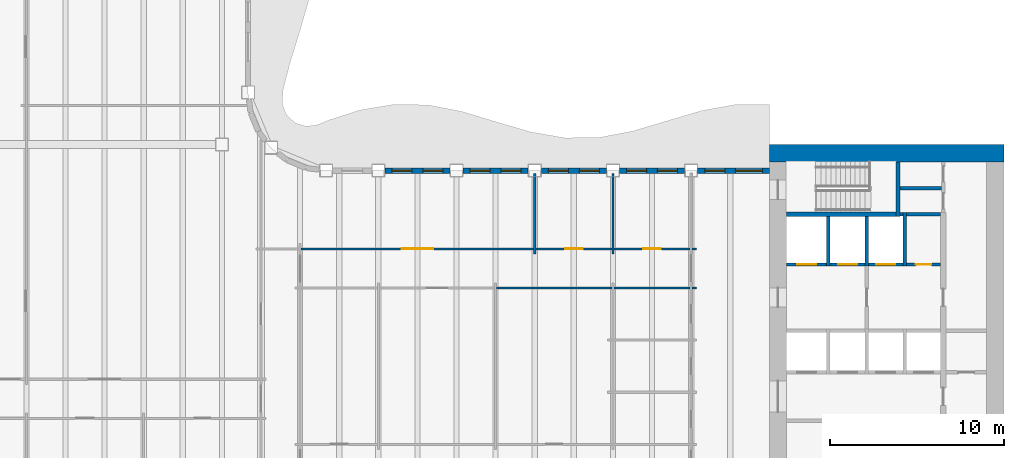
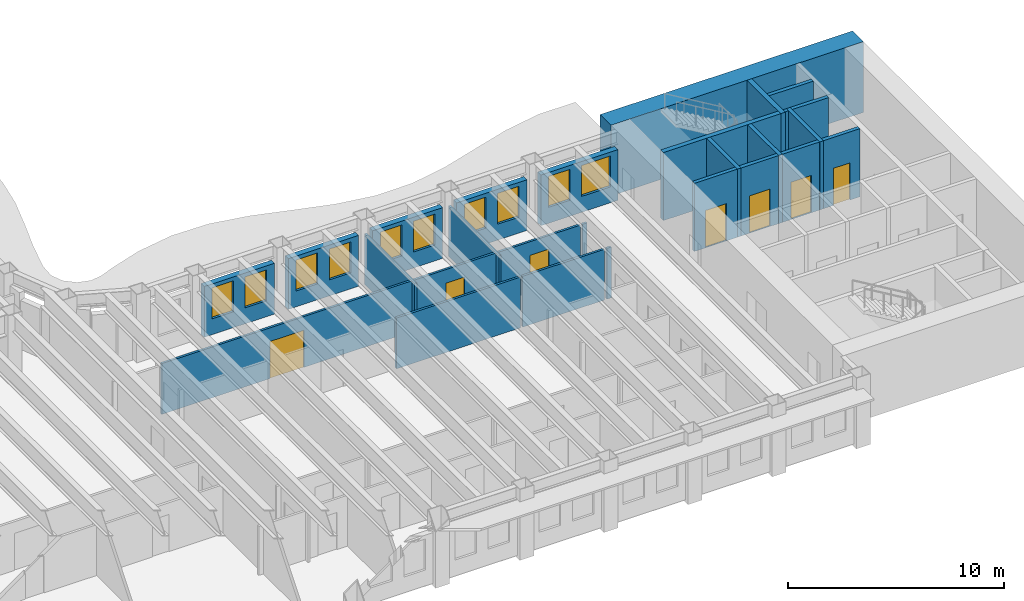
# One storey, part 7 of 16: 27 walls, 10 windows, 7 doors, 17 openings.
"""IFC4 building model written with IfcOpenShell, lengths in metres."""

from ifc_helpers import new_model, si_unit, direction, frame, frame_2d, origin, place, context, subcontext, project, spatial, rectangle, extrude, material, layer, layer_set, type_object, element, fill, save


model = new_model("IFC4")

# Units and contexts
model_context = context("Model", 3, precision=1e-05, world=origin(), true_north=direction((0.0, 1.0)))
body_context = subcontext(model_context, "Body", "Model", "MODEL_VIEW")
ifc_project = project(units=[si_unit("LENGTHUNIT", "METRE"), si_unit("AREAUNIT", "SQUARE_METRE"), si_unit("VOLUMEUNIT", "CUBIC_METRE"), si_unit("PLANEANGLEUNIT", "RADIAN"), si_unit("MASSUNIT", "GRAM", prefix="KILO")], contexts=[model_context])

# Site, building, storey
site_placement = place(None, origin())
site = spatial("IfcSite", under=ifc_project, at=site_placement, CompositionType="ELEMENT")
building_placement = place(site_placement, origin())
building = spatial("IfcBuilding", under=site, at=building_placement, Name="Sennacour Bend Tower", CompositionType="ELEMENT")
storey_placement = place(building_placement, frame((0.0, 0.0, 223.0)))
storey = spatial("IfcBuildingStorey", under=building, at=storey_placement, Name="L51", CompositionType="ELEMENT", Elevation=223.0)

# Walls
ifc_material_1 = material(Name="Concrete C60/75", Category="concrete")
ifc_layer_1 = layer(ifc_material_1, 1.0, Name="Concrete C60/75", Category="concrete")
ifc_layer_set_1 = layer_set([ifc_layer_1], Name="Concrete C60/75")
wall_type_1 = type_object("IfcWallType", Name="Core wall 1000 C60/75", PredefinedType="SHEAR", material=ifc_layer_set_1)
wall_1_placement = place(storey_placement, frame((54.0, 22.0, -0.14990234375), z_axis=(0.0, 0.0, 1.0), x_axis=(1.0, 0.0, 0.0)))
element("IfcWall", 1, at=wall_1_placement, inside=storey, type_object=wall_type_1, Name="Core A wall L51 N", PredefinedType="SHEAR", context=body_context, shape_type="SweptSolid", body=[
    extrude(rectangle(XDim=13.5, YDim=1.0, at=frame_2d((6.75, 0.0))), origin(), (0.0, 0.0, 1.0), 4.0),
])
ifc_material_2 = material(Name="Plasterboard partition on steel studs", Category="steel")
ifc_layer_2 = layer(ifc_material_2, 0.1201171875, Name="Plasterboard partition on steel studs", Category="steel")
ifc_layer_set_2 = layer_set([ifc_layer_2], Name="Plasterboard partition on steel studs")
wall_type_2 = type_object("IfcWallType", Name="Partition 120", PredefinedType="PARTITIONING", material=ifc_layer_set_2)
for number, where, z_axis, x_axis, name in (
    (2, (40.5, 16.199951171875, 0.0), (0.0, 0.0, 1.0), (0.0, 1.0, 0.0), "P-L51-W033a"),
    (3, (45.0, 16.199951171875, 0.0), (0.0, 0.0, 1.0), (0.0, 1.0, 0.0), "P-L51-W036a"),
):
    element("IfcWall", number, at=place(storey_placement, frame(where, z_axis=z_axis, x_axis=x_axis)), inside=storey, type_object=wall_type_2, Name=name, PredefinedType="PARTITIONING", context=body_context, shape_type="SweptSolid", body=[
        extrude(rectangle(XDim=4.650146484375, YDim=0.1201171875, at=frame_2d((2.3251953125, 0.0))), origin(), (0.0, 0.0, 1.0), 2.8701171875),
    ])
wall_2_placement = place(storey_placement, frame((38.31005859375, 14.25, 0.0), z_axis=(0.0, 0.0, 1.0), x_axis=(1.0, 0.0, 0.0)))
element("IfcWall", 4, at=wall_2_placement, inside=storey, type_object=wall_type_2, Name="P-L51-W071ad", PredefinedType="PARTITIONING", context=body_context, shape_type="SweptSolid", body=[
    extrude(rectangle(XDim=6.6298828125, YDim=0.1201171875, at=frame_2d((3.31494140625, 0.0))), origin(), (0.0, 0.0, 1.0), 2.8701171875),
])
wall_3_placement = place(storey_placement, frame((45.06005859375, 14.25, 0.0), z_axis=(0.0, 0.0, 1.0), x_axis=(1.0, 0.0, 0.0)))
element("IfcWall", 5, at=wall_3_placement, inside=storey, type_object=wall_type_2, Name="P-L51-W071ae", PredefinedType="PARTITIONING", context=body_context, shape_type="SweptSolid", body=[
    extrude(rectangle(XDim=4.3798828125, YDim=0.1201171875, at=frame_2d((2.18994140625, 0.0))), origin(), (0.0, 0.0, 1.0), 2.8701171875),
])
wall_4_placement = place(storey_placement, frame((49.56005859375, 14.25, 0.0), z_axis=(0.0, 0.0, 1.0), x_axis=(1.0, 0.0, 0.0)))
element("IfcWall", 6, at=wall_4_placement, inside=storey, type_object=wall_type_2, Name="P-L51-W071af", PredefinedType="PARTITIONING", context=body_context, shape_type="SweptSolid", body=[
    extrude(rectangle(XDim=0.239990234375, YDim=0.1201171875, at=frame_2d((0.1201171875, 0.0))), origin(), (0.0, 0.0, 1.0), 2.8701171875),
])

# Wall, opening, door
wall_5_placement = place(storey_placement, frame((27.06005859375, 16.5, 0.0), z_axis=(0.0, 0.0, 1.0), x_axis=(1.0, 0.0, 0.0)))
wall_5 = element("IfcWall", 7, at=wall_5_placement, inside=storey, type_object=wall_type_2, Name="P-L51-W074ac", PredefinedType="PARTITIONING", context=body_context, shape_type="SweptSolid", body=[
    extrude(rectangle(XDim=13.3798828125, YDim=0.1201171875, at=frame_2d((6.68994140625, 0.0))), origin(), (0.0, 0.0, 1.0), 2.8701171875),
])
opening_1_placement = place(wall_5_placement, frame((5.789794921875, 0.0, 0.0)))
opening_1 = element("IfcOpeningElement", 8, at=opening_1_placement, cuts=wall_5, Name="Opening OD3", PredefinedType="OPENING", context=body_context, shape_type="SweptSolid", body=[
    extrude(rectangle(XDim=1.800048828125, YDim=2.10009765625, at=frame_2d((0.89990234375, 1.050048828125))), frame((0.0, 0.070068359375, 0.0), z_axis=(0.0, -1.0, 0.0), x_axis=(1.0, 0.0, 0.0)), (0.0, 0.0, 1.0), 0.14013671875),
])
ifc_material_3 = material(Name="Timber", Category="wood")
door_type_1 = type_object("IfcDoorType", Name="DR-OFFICE-1800", OperationType="NOTDEFINED", PredefinedType="DOOR", material=ifc_material_3)
door_1_placement = place(opening_1_placement, origin())
door_1 = element("IfcDoor", 9, at=door_1_placement, inside=storey, type_object=door_type_1, Name="Door", OperationType="DOUBLE_DOOR_SINGLE_SWING", OverallHeight=2.10009765625, OverallWidth=1.800048828125, PredefinedType="DOOR", context=body_context, shape_type="SweptSolid", body=[
    extrude(rectangle(XDim=1.800048828125, YDim=2.10009765625, at=frame_2d((0.89990234375, 1.050048828125))), frame((0.0, 0.02490234375, 0.0), z_axis=(0.0, -1.0, 0.0), x_axis=(1.0, 0.0, 0.0)), (0.0, 0.0, 1.0), 0.050048828125),
])
fill(opening_1, door_1)

wall_6_placement = place(storey_placement, frame((40.56005859375, 16.5, 0.0), z_axis=(0.0, 0.0, 1.0), x_axis=(1.0, 0.0, 0.0)))
wall_6 = element("IfcWall", 10, at=wall_6_placement, inside=storey, type_object=wall_type_2, Name="P-L51-W074ad", PredefinedType="PARTITIONING", context=body_context, shape_type="SweptSolid", body=[
    extrude(rectangle(XDim=4.3798828125, YDim=0.1201171875, at=frame_2d((2.18994140625, 0.0))), origin(), (0.0, 0.0, 1.0), 2.8701171875),
])
opening_2_placement = place(wall_6_placement, frame((1.68994140625, 0.0, 0.0)))
opening_2 = element("IfcOpeningElement", 11, at=opening_2_placement, cuts=wall_6, Name="Opening OD2", PredefinedType="OPENING", context=body_context, shape_type="SweptSolid", body=[
    extrude(rectangle(XDim=1.0, YDim=2.10009765625, at=frame_2d((0.5, 1.050048828125))), frame((0.0, 0.070068359375, 0.0), z_axis=(0.0, -1.0, 0.0), x_axis=(1.0, 0.0, 0.0)), (0.0, 0.0, 1.0), 0.14013671875),
])
door_type_2 = type_object("IfcDoorType", Name="DR-OFFICE-1000", OperationType="NOTDEFINED", PredefinedType="DOOR", material=ifc_material_3)
door_2_placement = place(opening_2_placement, origin())
door_2 = element("IfcDoor", 12, at=door_2_placement, inside=storey, type_object=door_type_2, Name="Door", OperationType="SINGLE_SWING_LEFT", OverallHeight=2.10009765625, OverallWidth=1.0, PredefinedType="DOOR", context=body_context, shape_type="SweptSolid", body=[
    extrude(rectangle(XDim=1.0, YDim=2.10009765625, at=frame_2d((0.5, 1.050048828125))), frame((0.0, 0.02490234375, 0.0), z_axis=(0.0, -1.0, 0.0), x_axis=(1.0, 0.0, 0.0)), (0.0, 0.0, 1.0), 0.050048828125),
])
fill(opening_2, door_2)

wall_7_placement = place(storey_placement, frame((45.06005859375, 16.5, 0.0), z_axis=(0.0, 0.0, 1.0), x_axis=(1.0, 0.0, 0.0)))
wall_7 = element("IfcWall", 13, at=wall_7_placement, inside=storey, type_object=wall_type_2, Name="P-L51-W074ae", PredefinedType="PARTITIONING", context=body_context, shape_type="SweptSolid", body=[
    extrude(rectangle(XDim=4.3798828125, YDim=0.1201171875, at=frame_2d((2.18994140625, 0.0))), origin(), (0.0, 0.0, 1.0), 2.8701171875),
])
opening_3_placement = place(wall_7_placement, frame((1.68994140625, 0.0, 0.0)))
opening_3 = element("IfcOpeningElement", 14, at=opening_3_placement, cuts=wall_7, Name="Opening OD2", PredefinedType="OPENING", context=body_context, shape_type="SweptSolid", body=[
    extrude(rectangle(XDim=1.0, YDim=2.10009765625, at=frame_2d((0.5, 1.050048828125))), frame((0.0, 0.070068359375, 0.0), z_axis=(0.0, -1.0, 0.0), x_axis=(1.0, 0.0, 0.0)), (0.0, 0.0, 1.0), 0.14013671875),
])
door_3_placement = place(opening_3_placement, origin())
door_3 = element("IfcDoor", 15, at=door_3_placement, inside=storey, type_object=door_type_2, Name="Door", OperationType="SINGLE_SWING_LEFT", OverallHeight=2.10009765625, OverallWidth=1.0, PredefinedType="DOOR", context=body_context, shape_type="SweptSolid", body=[
    extrude(rectangle(XDim=1.0, YDim=2.10009765625, at=frame_2d((0.5, 1.050048828125))), frame((0.0, 0.02490234375, 0.0), z_axis=(0.0, -1.0, 0.0), x_axis=(1.0, 0.0, 0.0)), (0.0, 0.0, 1.0), 0.050048828125),
])
fill(opening_3, door_3)

# Wall
wall_8_placement = place(storey_placement, frame((49.56005859375, 16.5, 0.0), z_axis=(0.0, 0.0, 1.0), x_axis=(1.0, 0.0, 0.0)))
element("IfcWall", 16, at=wall_8_placement, inside=storey, type_object=wall_type_2, Name="P-L51-W074af", PredefinedType="PARTITIONING", context=body_context, shape_type="SweptSolid", body=[
    extrude(rectangle(XDim=0.239990234375, YDim=0.1201171875, at=frame_2d((0.1201171875, 0.0))), origin(), (0.0, 0.0, 1.0), 2.8701171875),
])

# Wall, opening, door
ifc_material_4 = material(Name="Fire-rated plasterboard partition on steel studs", Category="steel")
ifc_layer_3 = layer(ifc_material_4, 0.199951171875, Name="Fire-rated plasterboard partition on steel studs", Category="steel")
ifc_layer_set_3 = layer_set([ifc_layer_3], Name="Fire-rated plasterboard partition on steel studs")
wall_type_3 = type_object("IfcWallType", Name="Rated partition 200", PredefinedType="PARTITIONING", material=ifc_layer_set_3)
wall_9_placement = place(storey_placement, frame((61.89990234375, 15.60009765625, 0.0), z_axis=(0.0, 0.0, 1.0), x_axis=(1.0, 0.0, 0.0)))
wall_9 = element("IfcWall", 17, at=wall_9_placement, inside=storey, type_object=wall_type_3, Name="P-L51-W073", PredefinedType="PARTITIONING", context=body_context, shape_type="SweptSolid", body=[
    extrude(rectangle(XDim=1.9501953125, YDim=0.199951171875, at=frame_2d((0.97509765625, 0.0))), origin(), (0.0, 0.0, 1.0), 3.85009765625),
])
opening_4_placement = place(wall_9_placement, frame((0.525146484375, 0.0, 0.0)))
opening_4 = element("IfcOpeningElement", 18, at=opening_4_placement, cuts=wall_9, Name="Opening SV", PredefinedType="OPENING", context=body_context, shape_type="SweptSolid", body=[
    extrude(rectangle(XDim=0.89990234375, YDim=2.10009765625, at=frame_2d((0.449951171875, 1.050048828125))), frame((0.0, 0.10986328125, 0.0), z_axis=(0.0, -1.0, 0.0), x_axis=(1.0, 0.0, 0.0)), (0.0, 0.0, 1.0), 0.219970703125),
])
ifc_material_5 = material(Name="Painted steel", Category="steel")
door_type_3 = type_object("IfcDoorType", Name="DR-SERVICE-900", OperationType="NOTDEFINED", PredefinedType="DOOR", material=ifc_material_5)
door_4_placement = place(opening_4_placement, origin())
door_4 = element("IfcDoor", 19, at=door_4_placement, inside=storey, type_object=door_type_3, Name="Door", OperationType="SINGLE_SWING_LEFT", OverallHeight=2.10009765625, OverallWidth=0.89990234375, PredefinedType="DOOR", context=body_context, shape_type="SweptSolid", body=[
    extrude(rectangle(XDim=0.89990234375, YDim=2.10009765625, at=frame_2d((0.449951171875, 1.050048828125))), frame((0.0, 0.02490234375, 0.0), z_axis=(0.0, -1.0, 0.0), x_axis=(1.0, 0.0, 0.0)), (0.0, 0.0, 1.0), 0.050048828125),
])
fill(opening_4, door_4)

# Walls
wall_10_placement = place(storey_placement, frame((61.89990234375, 18.5, 0.0), z_axis=(0.0, 0.0, 1.0), x_axis=(1.0, 0.0, 0.0)))
element("IfcWall", 20, at=wall_10_placement, inside=storey, type_object=wall_type_3, Name="P-L51-W077", PredefinedType="PARTITIONING", context=body_context, shape_type="SweptSolid", body=[
    extrude(rectangle(XDim=1.9501953125, YDim=0.199951171875, at=frame_2d((0.97509765625, 0.0))), origin(), (0.0, 0.0, 1.0), 3.85009765625),
])
wall_11_placement = place(storey_placement, frame((61.52490234375, 20.0, 0.0), z_axis=(0.0, 0.0, 1.0), x_axis=(1.0, 0.0, 0.0)))
element("IfcWall", 21, at=wall_11_placement, inside=storey, type_object=wall_type_3, Name="P-L51-W078", PredefinedType="PARTITIONING", context=body_context, shape_type="SweptSolid", body=[
    extrude(rectangle(XDim=2.375, YDim=0.199951171875, at=frame_2d((1.1875, 0.0))), origin(), (0.0, 0.0, 1.0), 3.85009765625),
])

# Wall, openings, windows
ifc_material_6 = material(Name="Warm limestone cladding", Category="masonry")
ifc_layer_4 = layer(ifc_material_6, 0.050048828125, Name="Warm limestone cladding", Category="masonry")
ifc_material_7 = material(Name="Precast concrete C40/50", Category="concrete")
ifc_layer_5 = layer(ifc_material_7, 0.25, Name="Precast concrete C40/50", Category="concrete")
ifc_layer_set_4 = layer_set([ifc_layer_4, ifc_layer_5], Name="Precast concrete C40/50 with limestone cladding")
wall_type_4 = type_object("IfcWallType", Name="STONE-CLAD PRECAST SPANDREL 300", PredefinedType="STANDARD", material=ifc_layer_set_4)
wall_12_placement = place(storey_placement, frame((54.0, 21.0, 0.0), z_axis=(0.0, 0.0, 1.0), x_axis=(-1.0, 0.0, 0.0)))
wall_12 = element("IfcWall", 22, at=wall_12_placement, inside=storey, type_object=wall_type_4, Name="Stone spandrel and pier wall L51 06.00", PredefinedType="STANDARD", context=body_context, shape_type="SweptSolid", body=[
    extrude(rectangle(XDim=4.125, YDim=0.300048828125, at=frame_2d((2.0625, 0.0))), origin(), (0.0, 0.0, 1.0), 2.8701171875),
])
opening_5_placement = place(wall_12_placement, frame((0.39990234375, 0.0, 0.89990234375)))
opening_5 = element("IfcOpeningElement", 23, at=opening_5_placement, cuts=wall_12, Name="Opening W12", PredefinedType="OPENING", context=body_context, shape_type="SweptSolid", body=[
    extrude(rectangle(XDim=1.550048828125, YDim=1.75, at=frame_2d((0.77490234375, 0.875))), frame((0.0, 0.16015625, 0.0), z_axis=(0.0, -1.0, 0.0), x_axis=(1.0, 0.0, 0.0)), (0.0, 0.0, 1.0), 0.320068359375),
])
opening_6_placement = place(wall_12_placement, frame((2.5625, 0.0, 0.89990234375)))
opening_6 = element("IfcOpeningElement", 24, at=opening_6_placement, cuts=wall_12, Name="Opening W23", PredefinedType="OPENING", context=body_context, shape_type="SweptSolid", body=[
    extrude(rectangle(XDim=1.14990234375, YDim=1.75, at=frame_2d((0.574951171875, 0.875))), frame((0.0, 0.16015625, 0.0), z_axis=(0.0, -1.0, 0.0), x_axis=(1.0, 0.0, 0.0)), (0.0, 0.0, 1.0), 0.320068359375),
])
ifc_material_8 = material(Name="Clear low-emissivity glass", Category="glass")
window_type_1 = type_object("IfcWindowType", Name="WIN-RIBBON-1150x1750", PartitioningType="SINGLE_PANEL", PredefinedType="WINDOW", material=ifc_material_8)
window_1_placement = place(opening_6_placement, origin())
window_1 = element("IfcWindow", 25, at=window_1_placement, inside=storey, type_object=window_type_1, Name="Ribbon window L51 06.00.1", OverallHeight=1.75, OverallWidth=1.14990234375, PartitioningType="SINGLE_PANEL", PredefinedType="WINDOW", context=body_context, shape_type="SweptSolid", body=[
    extrude(rectangle(XDim=1.14990234375, YDim=1.75, at=frame_2d((0.574951171875, 0.875))), frame((0.0, 0.030029296875, 0.0), z_axis=(0.0, -1.0, 0.0), x_axis=(1.0, 0.0, 0.0)), (0.0, 0.0, 1.0), 0.06005859375),
])
fill(opening_6, window_1)
window_type_2 = type_object("IfcWindowType", Name="WIN-RIBBON-1550x1750", PartitioningType="SINGLE_PANEL", PredefinedType="WINDOW", material=ifc_material_8)
window_2_placement = place(opening_5_placement, origin())
window_2 = element("IfcWindow", 26, at=window_2_placement, inside=storey, type_object=window_type_2, Name="Ribbon window L51 06.00.0", OverallHeight=1.75, OverallWidth=1.550048828125, PartitioningType="SINGLE_PANEL", PredefinedType="WINDOW", context=body_context, shape_type="SweptSolid", body=[
    extrude(rectangle(XDim=1.550048828125, YDim=1.75, at=frame_2d((0.77490234375, 0.875))), frame((0.0, 0.030029296875, 0.0), z_axis=(0.0, -1.0, 0.0), x_axis=(1.0, 0.0, 0.0)), (0.0, 0.0, 1.0), 0.06005859375),
])
fill(opening_5, window_2)

wall_13_placement = place(storey_placement, frame((49.125, 21.0, 0.0), z_axis=(0.0, 0.0, 1.0), x_axis=(-1.0, 0.0, 0.0)))
wall_13 = element("IfcWall", 27, at=wall_13_placement, inside=storey, type_object=wall_type_4, Name="Stone spandrel and pier wall L51 06.01", PredefinedType="STANDARD", context=body_context, shape_type="SweptSolid", body=[
    extrude(rectangle(XDim=3.75, YDim=0.300048828125, at=frame_2d((1.875, 0.0))), origin(), (0.0, 0.0, 1.0), 2.8701171875),
])
opening_7_placement = place(wall_13_placement, frame((0.41259765625, 0.0, 0.89990234375)))
opening_7 = element("IfcOpeningElement", 28, at=opening_7_placement, cuts=wall_13, Name="Opening W23", PredefinedType="OPENING", context=body_context, shape_type="SweptSolid", body=[
    extrude(rectangle(XDim=1.14990234375, YDim=1.75, at=frame_2d((0.574951171875, 0.875))), frame((0.0, 0.16015625, 0.0), z_axis=(0.0, -1.0, 0.0), x_axis=(1.0, 0.0, 0.0)), (0.0, 0.0, 1.0), 0.320068359375),
])
opening_8_placement = place(wall_13_placement, frame((2.1875, 0.0, 0.89990234375)))
opening_8 = element("IfcOpeningElement", 29, at=opening_8_placement, cuts=wall_13, Name="Opening W23", PredefinedType="OPENING", context=body_context, shape_type="SweptSolid", body=[
    extrude(rectangle(XDim=1.14990234375, YDim=1.75, at=frame_2d((0.574951171875, 0.875))), frame((0.0, 0.16015625, 0.0), z_axis=(0.0, -1.0, 0.0), x_axis=(1.0, 0.0, 0.0)), (0.0, 0.0, 1.0), 0.320068359375),
])
window_3_placement = place(opening_7_placement, origin())
window_3 = element("IfcWindow", 30, at=window_3_placement, inside=storey, type_object=window_type_1, Name="Ribbon window L51 06.01.0", OverallHeight=1.75, OverallWidth=1.14990234375, PartitioningType="SINGLE_PANEL", PredefinedType="WINDOW", context=body_context, shape_type="SweptSolid", body=[
    extrude(rectangle(XDim=1.14990234375, YDim=1.75, at=frame_2d((0.574951171875, 0.875))), frame((0.0, 0.030029296875, 0.0), z_axis=(0.0, -1.0, 0.0), x_axis=(1.0, 0.0, 0.0)), (0.0, 0.0, 1.0), 0.06005859375),
])
fill(opening_7, window_3)
window_4_placement = place(opening_8_placement, origin())
window_4 = element("IfcWindow", 31, at=window_4_placement, inside=storey, type_object=window_type_1, Name="Ribbon window L51 06.01.1", OverallHeight=1.75, OverallWidth=1.14990234375, PartitioningType="SINGLE_PANEL", PredefinedType="WINDOW", context=body_context, shape_type="SweptSolid", body=[
    extrude(rectangle(XDim=1.14990234375, YDim=1.75, at=frame_2d((0.574951171875, 0.875))), frame((0.0, 0.030029296875, 0.0), z_axis=(0.0, -1.0, 0.0), x_axis=(1.0, 0.0, 0.0)), (0.0, 0.0, 1.0), 0.06005859375),
])
fill(opening_8, window_4)

wall_14_placement = place(storey_placement, frame((44.625, 21.0, 0.0), z_axis=(0.0, 0.0, 1.0), x_axis=(-1.0, 0.0, 0.0)))
wall_14 = element("IfcWall", 32, at=wall_14_placement, inside=storey, type_object=wall_type_4, Name="Stone spandrel and pier wall L51 06.02", PredefinedType="STANDARD", context=body_context, shape_type="SweptSolid", body=[
    extrude(rectangle(XDim=3.75, YDim=0.300048828125, at=frame_2d((1.875, 0.0))), origin(), (0.0, 0.0, 1.0), 2.8701171875),
])
opening_9_placement = place(wall_14_placement, frame((0.41259765625, 0.0, 0.89990234375)))
opening_9 = element("IfcOpeningElement", 33, at=opening_9_placement, cuts=wall_14, Name="Opening W23", PredefinedType="OPENING", context=body_context, shape_type="SweptSolid", body=[
    extrude(rectangle(XDim=1.14990234375, YDim=1.75, at=frame_2d((0.574951171875, 0.875))), frame((0.0, 0.16015625, 0.0), z_axis=(0.0, -1.0, 0.0), x_axis=(1.0, 0.0, 0.0)), (0.0, 0.0, 1.0), 0.320068359375),
])
opening_10_placement = place(wall_14_placement, frame((2.1875, 0.0, 0.89990234375)))
opening_10 = element("IfcOpeningElement", 34, at=opening_10_placement, cuts=wall_14, Name="Opening W23", PredefinedType="OPENING", context=body_context, shape_type="SweptSolid", body=[
    extrude(rectangle(XDim=1.14990234375, YDim=1.75, at=frame_2d((0.574951171875, 0.875))), frame((0.0, 0.16015625, 0.0), z_axis=(0.0, -1.0, 0.0), x_axis=(1.0, 0.0, 0.0)), (0.0, 0.0, 1.0), 0.320068359375),
])
window_5_placement = place(opening_9_placement, origin())
window_5 = element("IfcWindow", 35, at=window_5_placement, inside=storey, type_object=window_type_1, Name="Ribbon window L51 06.02.0", OverallHeight=1.75, OverallWidth=1.14990234375, PartitioningType="SINGLE_PANEL", PredefinedType="WINDOW", context=body_context, shape_type="SweptSolid", body=[
    extrude(rectangle(XDim=1.14990234375, YDim=1.75, at=frame_2d((0.574951171875, 0.875))), frame((0.0, 0.030029296875, 0.0), z_axis=(0.0, -1.0, 0.0), x_axis=(1.0, 0.0, 0.0)), (0.0, 0.0, 1.0), 0.06005859375),
])
fill(opening_9, window_5)
window_6_placement = place(opening_10_placement, origin())
window_6 = element("IfcWindow", 36, at=window_6_placement, inside=storey, type_object=window_type_1, Name="Ribbon window L51 06.02.1", OverallHeight=1.75, OverallWidth=1.14990234375, PartitioningType="SINGLE_PANEL", PredefinedType="WINDOW", context=body_context, shape_type="SweptSolid", body=[
    extrude(rectangle(XDim=1.14990234375, YDim=1.75, at=frame_2d((0.574951171875, 0.875))), frame((0.0, 0.030029296875, 0.0), z_axis=(0.0, -1.0, 0.0), x_axis=(1.0, 0.0, 0.0)), (0.0, 0.0, 1.0), 0.06005859375),
])
fill(opening_10, window_6)

wall_15_placement = place(storey_placement, frame((40.125, 21.0, 0.0), z_axis=(0.0, 0.0, 1.0), x_axis=(-1.0, 0.0, 0.0)))
wall_15 = element("IfcWall", 37, at=wall_15_placement, inside=storey, type_object=wall_type_4, Name="Stone spandrel and pier wall L51 06.03", PredefinedType="STANDARD", context=body_context, shape_type="SweptSolid", body=[
    extrude(rectangle(XDim=3.75, YDim=0.300048828125, at=frame_2d((1.875, 0.0))), origin(), (0.0, 0.0, 1.0), 2.8701171875),
])
opening_11_placement = place(wall_15_placement, frame((0.41259765625, 0.0, 0.89990234375)))
opening_11 = element("IfcOpeningElement", 38, at=opening_11_placement, cuts=wall_15, Name="Opening W23", PredefinedType="OPENING", context=body_context, shape_type="SweptSolid", body=[
    extrude(rectangle(XDim=1.14990234375, YDim=1.75, at=frame_2d((0.574951171875, 0.875))), frame((0.0, 0.16015625, 0.0), z_axis=(0.0, -1.0, 0.0), x_axis=(1.0, 0.0, 0.0)), (0.0, 0.0, 1.0), 0.320068359375),
])
opening_12_placement = place(wall_15_placement, frame((2.1875, 0.0, 0.89990234375)))
opening_12 = element("IfcOpeningElement", 39, at=opening_12_placement, cuts=wall_15, Name="Opening W23", PredefinedType="OPENING", context=body_context, shape_type="SweptSolid", body=[
    extrude(rectangle(XDim=1.14990234375, YDim=1.75, at=frame_2d((0.574951171875, 0.875))), frame((0.0, 0.16015625, 0.0), z_axis=(0.0, -1.0, 0.0), x_axis=(1.0, 0.0, 0.0)), (0.0, 0.0, 1.0), 0.320068359375),
])
window_7_placement = place(opening_11_placement, origin())
window_7 = element("IfcWindow", 40, at=window_7_placement, inside=storey, type_object=window_type_1, Name="Ribbon window L51 06.03.0", OverallHeight=1.75, OverallWidth=1.14990234375, PartitioningType="SINGLE_PANEL", PredefinedType="WINDOW", context=body_context, shape_type="SweptSolid", body=[
    extrude(rectangle(XDim=1.14990234375, YDim=1.75, at=frame_2d((0.574951171875, 0.875))), frame((0.0, 0.030029296875, 0.0), z_axis=(0.0, -1.0, 0.0), x_axis=(1.0, 0.0, 0.0)), (0.0, 0.0, 1.0), 0.06005859375),
])
fill(opening_11, window_7)
window_8_placement = place(opening_12_placement, origin())
window_8 = element("IfcWindow", 41, at=window_8_placement, inside=storey, type_object=window_type_1, Name="Ribbon window L51 06.03.1", OverallHeight=1.75, OverallWidth=1.14990234375, PartitioningType="SINGLE_PANEL", PredefinedType="WINDOW", context=body_context, shape_type="SweptSolid", body=[
    extrude(rectangle(XDim=1.14990234375, YDim=1.75, at=frame_2d((0.574951171875, 0.875))), frame((0.0, 0.030029296875, 0.0), z_axis=(0.0, -1.0, 0.0), x_axis=(1.0, 0.0, 0.0)), (0.0, 0.0, 1.0), 0.06005859375),
])
fill(opening_12, window_8)

wall_16_placement = place(storey_placement, frame((35.625, 21.0, 0.0), z_axis=(0.0, 0.0, 1.0), x_axis=(-1.0, 0.0, 0.0)))
wall_16 = element("IfcWall", 42, at=wall_16_placement, inside=storey, type_object=wall_type_4, Name="Stone spandrel and pier wall L51 06.04", PredefinedType="STANDARD", context=body_context, shape_type="SweptSolid", body=[
    extrude(rectangle(XDim=3.75, YDim=0.300048828125, at=frame_2d((1.875, 0.0))), origin(), (0.0, 0.0, 1.0), 2.8701171875),
])
opening_13_placement = place(wall_16_placement, frame((0.41259765625, 0.0, 0.89990234375)))
opening_13 = element("IfcOpeningElement", 43, at=opening_13_placement, cuts=wall_16, Name="Opening W23", PredefinedType="OPENING", context=body_context, shape_type="SweptSolid", body=[
    extrude(rectangle(XDim=1.14990234375, YDim=1.75, at=frame_2d((0.574951171875, 0.875))), frame((0.0, 0.16015625, 0.0), z_axis=(0.0, -1.0, 0.0), x_axis=(1.0, 0.0, 0.0)), (0.0, 0.0, 1.0), 0.320068359375),
])
opening_14_placement = place(wall_16_placement, frame((2.1875, 0.0, 0.89990234375)))
opening_14 = element("IfcOpeningElement", 44, at=opening_14_placement, cuts=wall_16, Name="Opening W23", PredefinedType="OPENING", context=body_context, shape_type="SweptSolid", body=[
    extrude(rectangle(XDim=1.14990234375, YDim=1.75, at=frame_2d((0.574951171875, 0.875))), frame((0.0, 0.16015625, 0.0), z_axis=(0.0, -1.0, 0.0), x_axis=(1.0, 0.0, 0.0)), (0.0, 0.0, 1.0), 0.320068359375),
])
window_9_placement = place(opening_13_placement, origin())
window_9 = element("IfcWindow", 45, at=window_9_placement, inside=storey, type_object=window_type_1, Name="Ribbon window L51 06.04.0", OverallHeight=1.75, OverallWidth=1.14990234375, PartitioningType="SINGLE_PANEL", PredefinedType="WINDOW", context=body_context, shape_type="SweptSolid", body=[
    extrude(rectangle(XDim=1.14990234375, YDim=1.75, at=frame_2d((0.574951171875, 0.875))), frame((0.0, 0.030029296875, 0.0), z_axis=(0.0, -1.0, 0.0), x_axis=(1.0, 0.0, 0.0)), (0.0, 0.0, 1.0), 0.06005859375),
])
fill(opening_13, window_9)
window_10_placement = place(opening_14_placement, origin())
window_10 = element("IfcWindow", 46, at=window_10_placement, inside=storey, type_object=window_type_1, Name="Ribbon window L51 06.04.1", OverallHeight=1.75, OverallWidth=1.14990234375, PartitioningType="SINGLE_PANEL", PredefinedType="WINDOW", context=body_context, shape_type="SweptSolid", body=[
    extrude(rectangle(XDim=1.14990234375, YDim=1.75, at=frame_2d((0.574951171875, 0.875))), frame((0.0, 0.030029296875, 0.0), z_axis=(0.0, -1.0, 0.0), x_axis=(1.0, 0.0, 0.0)), (0.0, 0.0, 1.0), 0.06005859375),
])
fill(opening_14, window_10)

# Walls
ifc_material_9 = material(Name="Concrete C50/60", Category="concrete")
ifc_layer_6 = layer(ifc_material_9, 0.199951171875, Name="Concrete C50/60", Category="concrete")
ifc_layer_set_5 = layer_set([ifc_layer_6], Name="Concrete C50/60")
wall_type_5 = type_object("IfcWallType", Name="Shaft wall 200", PredefinedType="SOLIDWALL", material=ifc_layer_set_5)
for number, where, z_axis, x_axis, name in (
    (47, (57.39990234375, 15.5, 0.0), (0.0, 0.0, 1.0), (0.0, 1.0, 0.0), "P-L51-W040"),
    (48, (59.60009765625, 15.5, 0.0), (0.0, 0.0, 1.0), (0.0, 1.0, 0.0), "P-L51-W043"),
):
    element("IfcWall", number, at=place(storey_placement, frame(where, z_axis=z_axis, x_axis=x_axis)), inside=storey, type_object=wall_type_5, Name=name, PredefinedType="SOLIDWALL", context=body_context, shape_type="SweptSolid", body=[
        extrude(rectangle(XDim=2.875, YDim=0.199951171875, at=frame_2d((1.4375, 0.0))), origin(), (0.0, 0.0, 1.0), 3.85009765625),
    ])
wall_17_placement = place(storey_placement, frame((61.800048828125, 15.5, 0.0), z_axis=(0.0, 0.0, 1.0), x_axis=(0.0, 1.0, 0.0)))
element("IfcWall", 49, at=wall_17_placement, inside=storey, type_object=wall_type_5, Name="P-L51-W047", PredefinedType="SOLIDWALL", context=body_context, shape_type="SweptSolid", body=[
    extrude(rectangle(XDim=3.10009765625, YDim=0.199951171875, at=frame_2d((1.550048828125, 0.0))), origin(), (0.0, 0.0, 1.0), 3.85009765625),
])

# Wall, opening, door
wall_18_placement = place(storey_placement, frame((55.0, 15.60009765625, 0.0), z_axis=(0.0, 0.0, 1.0), x_axis=(1.0, 0.0, 0.0)))
wall_18 = element("IfcWall", 50, at=wall_18_placement, inside=storey, type_object=wall_type_5, Name="P-L51-W072a", PredefinedType="SOLIDWALL", context=body_context, shape_type="SweptSolid", body=[
    extrude(rectangle(XDim=2.300048828125, YDim=0.199951171875, at=frame_2d((1.14990234375, 0.0))), origin(), (0.0, 0.0, 1.0), 3.85009765625),
])
opening_15_placement = place(wall_18_placement, frame((0.60009765625, 0.0, 0.011962890625)))
opening_15 = element("IfcOpeningElement", 51, at=opening_15_placement, cuts=wall_18, Name="Opening FLD", PredefinedType="OPENING", context=body_context, shape_type="SweptSolid", body=[
    extrude(rectangle(XDim=1.10009765625, YDim=2.10009765625, at=frame_2d((0.550048828125, 1.050048828125))), frame((0.0, 0.10986328125, 0.0), z_axis=(0.0, -1.0, 0.0), x_axis=(1.0, 0.0, 0.0)), (0.0, 0.0, 1.0), 0.219970703125),
])
ifc_material_10 = material(Name="Stainless steel", Category="steel")
door_type_4 = type_object("IfcDoorType", Name="DR-FF-LANDING-1100", OperationType="NOTDEFINED", PredefinedType="DOOR", material=ifc_material_10)
door_5_placement = place(opening_15_placement, origin())
door_5 = element("IfcDoor", 52, at=door_5_placement, inside=storey, type_object=door_type_4, Name="Fire service lift landing door FA1", OperationType="SLIDING_TO_LEFT", OverallHeight=2.10009765625, OverallWidth=1.10009765625, PredefinedType="DOOR", context=body_context, shape_type="SweptSolid", body=[
    extrude(rectangle(XDim=1.10009765625, YDim=2.10009765625, at=frame_2d((0.550048828125, 1.050048828125))), frame((0.0, 0.02490234375, 0.0), z_axis=(0.0, -1.0, 0.0), x_axis=(1.0, 0.0, 0.0)), (0.0, 0.0, 1.0), 0.050048828125),
])
fill(opening_15, door_5)

wall_19_placement = place(storey_placement, frame((57.5, 15.60009765625, 0.0), z_axis=(0.0, 0.0, 1.0), x_axis=(1.0, 0.0, 0.0)))
wall_19 = element("IfcWall", 53, at=wall_19_placement, inside=storey, type_object=wall_type_5, Name="P-L51-W072b", PredefinedType="SOLIDWALL", context=body_context, shape_type="SweptSolid", body=[
    extrude(rectangle(XDim=2.0, YDim=0.199951171875, at=frame_2d((1.0, 0.0))), origin(), (0.0, 0.0, 1.0), 3.85009765625),
])
opening_16_placement = place(wall_19_placement, frame((0.449951171875, 0.0, 0.011962890625)))
opening_16 = element("IfcOpeningElement", 54, at=opening_16_placement, cuts=wall_19, Name="Opening FLD", PredefinedType="OPENING", context=body_context, shape_type="SweptSolid", body=[
    extrude(rectangle(XDim=1.10009765625, YDim=2.10009765625, at=frame_2d((0.550048828125, 1.050048828125))), frame((0.0, 0.10986328125, 0.0), z_axis=(0.0, -1.0, 0.0), x_axis=(1.0, 0.0, 0.0)), (0.0, 0.0, 1.0), 0.219970703125),
])
door_6_placement = place(opening_16_placement, origin())
door_6 = element("IfcDoor", 55, at=door_6_placement, inside=storey, type_object=door_type_4, Name="Fire service lift landing door FA2", OperationType="SLIDING_TO_RIGHT", OverallHeight=2.10009765625, OverallWidth=1.10009765625, PredefinedType="DOOR", context=body_context, shape_type="SweptSolid", body=[
    extrude(rectangle(XDim=1.10009765625, YDim=2.10009765625, at=frame_2d((0.550048828125, 1.050048828125))), frame((0.0, 0.02490234375, 0.0), z_axis=(0.0, -1.0, 0.0), x_axis=(1.0, 0.0, 0.0)), (0.0, 0.0, 1.0), 0.050048828125),
])
fill(opening_16, door_6)

wall_20_placement = place(storey_placement, frame((59.699951171875, 15.60009765625, 0.0), z_axis=(0.0, 0.0, 1.0), x_axis=(1.0, 0.0, 0.0)))
wall_20 = element("IfcWall", 56, at=wall_20_placement, inside=storey, type_object=wall_type_5, Name="P-L51-W072c", PredefinedType="SOLIDWALL", context=body_context, shape_type="SweptSolid", body=[
    extrude(rectangle(XDim=2.0, YDim=0.199951171875, at=frame_2d((1.0, 0.0))), origin(), (0.0, 0.0, 1.0), 3.85009765625),
])
opening_17_placement = place(wall_20_placement, frame((0.449951171875, 0.0, 0.011962890625)))
opening_17 = element("IfcOpeningElement", 57, at=opening_17_placement, cuts=wall_20, Name="Opening LD", PredefinedType="OPENING", context=body_context, shape_type="SweptSolid", body=[
    extrude(rectangle(XDim=1.10009765625, YDim=2.10009765625, at=frame_2d((0.550048828125, 1.050048828125))), frame((0.0, 0.10986328125, 0.0), z_axis=(0.0, -1.0, 0.0), x_axis=(1.0, 0.0, 0.0)), (0.0, 0.0, 1.0), 0.219970703125),
])
door_type_5 = type_object("IfcDoorType", Name="DR-LANDING-1100", OperationType="NOTDEFINED", PredefinedType="DOOR", material=ifc_material_10)
door_7_placement = place(opening_17_placement, origin())
door_7 = element("IfcDoor", 58, at=door_7_placement, inside=storey, type_object=door_type_5, Name="Lift landing door HA5", OperationType="SLIDING_TO_LEFT", OverallHeight=2.10009765625, OverallWidth=1.10009765625, PredefinedType="DOOR", context=body_context, shape_type="SweptSolid", body=[
    extrude(rectangle(XDim=1.10009765625, YDim=2.10009765625, at=frame_2d((0.550048828125, 1.050048828125))), frame((0.0, 0.02490234375, 0.0), z_axis=(0.0, -1.0, 0.0), x_axis=(1.0, 0.0, 0.0)), (0.0, 0.0, 1.0), 0.050048828125),
])
fill(opening_17, door_7)

# Walls
wall_21_placement = place(storey_placement, frame((61.52490234375, 18.5, 0.0), z_axis=(0.0, 0.0, 1.0), x_axis=(1.0, 0.0, 0.0)))
element("IfcWall", 59, at=wall_21_placement, inside=storey, type_object=wall_type_5, Name="P-L51-W076", PredefinedType="SOLIDWALL", context=body_context, shape_type="SweptSolid", body=[
    extrude(rectangle(XDim=0.175048828125, YDim=0.199951171875, at=frame_2d((0.08740234375, 0.0))), origin(), (0.0, 0.0, 1.0), 3.85009765625),
])
ifc_layer_7 = layer(ifc_material_1, 0.25, Name="Concrete C60/75", Category="concrete")
ifc_layer_set_6 = layer_set([ifc_layer_7], Name="Concrete C60/75")
wall_type_6 = type_object("IfcWallType", Name="Stair wall 250", PredefinedType="SHEAR", material=ifc_layer_set_6)
wall_22_placement = place(storey_placement, frame((61.39990234375, 18.375, 0.0), z_axis=(0.0, 0.0, 1.0), x_axis=(0.0, 1.0, 0.0)))
element("IfcWall", 60, at=wall_22_placement, inside=storey, type_object=wall_type_6, Name="P-L51-W045", PredefinedType="SHEAR", context=body_context, shape_type="SweptSolid", body=[
    extrude(rectangle(XDim=3.125, YDim=0.25, at=frame_2d((1.5625, 0.0))), origin(), (0.0, 0.0, 1.0), 3.85009765625),
])
wall_23_placement = place(storey_placement, frame((55.0, 18.5, 0.0), z_axis=(0.0, 0.0, 1.0), x_axis=(1.0, 0.0, 0.0)))
element("IfcWall", 61, at=wall_23_placement, inside=storey, type_object=wall_type_6, Name="P-L51-W075", PredefinedType="SHEAR", context=body_context, shape_type="SweptSolid", body=[
    extrude(rectangle(XDim=6.27490234375, YDim=0.25, at=frame_2d((3.137451171875, 0.0))), origin(), (0.0, 0.0, 1.0), 3.85009765625),
])

save(model, "model.ifc")
